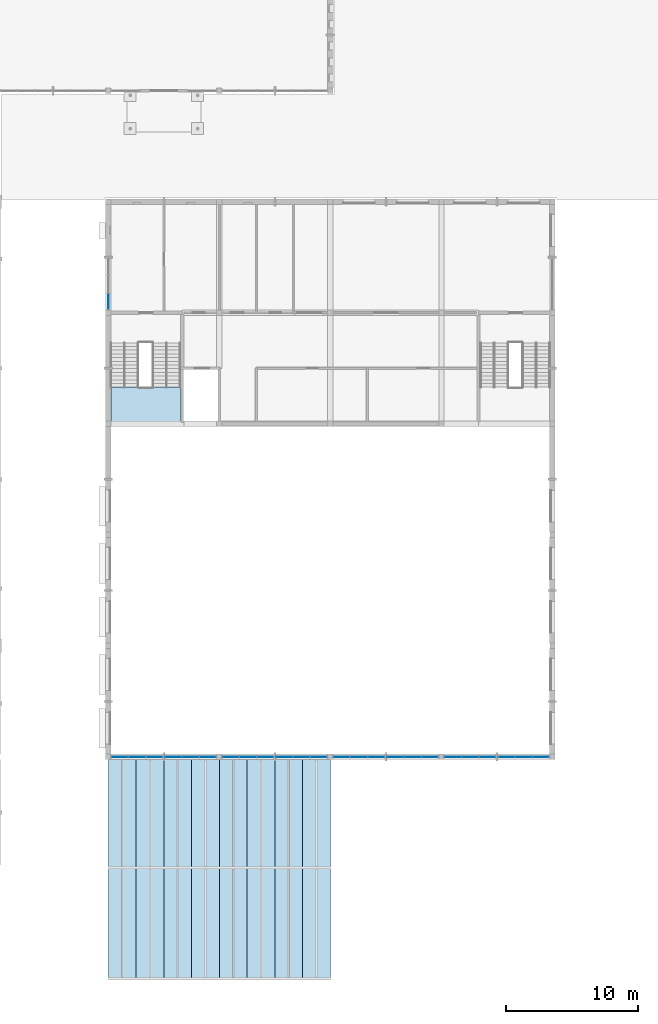
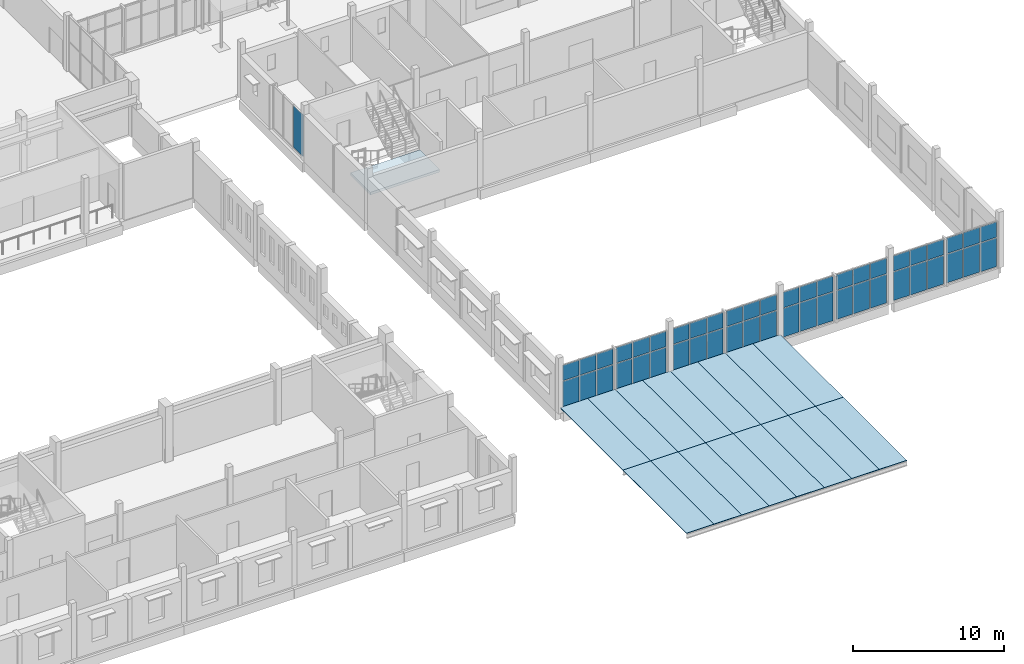
# One storey, part 30 of 60: 49 plates, 17 slabs, 10 elements without a shape of their own.
"""IFC4 building model written with IfcOpenShell, lengths in metres."""

from ifc_helpers import new_model, si_unit, direction, frame, origin, origin_2d, place, context, subcontext, project, spatial, polyline, rectangle, outline, extrude, material, layer, layer_set, type_object, element, aggregate, save


model = new_model("IFC4")

# Units and contexts
model_context = context("Model", 3, precision=1e-05, world=origin(), true_north=direction((0.0, 1.0)))
body_context = subcontext(model_context, "Body", "Model", "MODEL_VIEW")
ifc_project = project(units=[si_unit("LENGTHUNIT", "METRE"), si_unit("AREAUNIT", "SQUARE_METRE"), si_unit("VOLUMEUNIT", "CUBIC_METRE"), si_unit("PLANEANGLEUNIT", "RADIAN"), si_unit("MASSUNIT", "GRAM", prefix="KILO")], contexts=[model_context])

# Site, building, storey
site_placement = place(None, origin())
site = spatial("IfcSite", under=ifc_project, at=site_placement, CompositionType="ELEMENT")
building_placement = place(site_placement, origin())
building = spatial("IfcBuilding", under=site, at=building_placement, Name="Fescue Hill Polytechnic", CompositionType="ELEMENT")
storey_placement = place(building_placement, frame((0.0, 0.0, 4.5)))
storey = spatial("IfcBuildingStorey", under=building, at=storey_placement, Name="L01", CompositionType="ELEMENT", Elevation=4.5)

# Slabs
ifc_material_1 = material(Name="Glass", Category="glass")
ifc_layer_1 = layer(ifc_material_1, 0.0439453125)
ifc_layer_set_1 = layer_set([ifc_layer_1], Name="Glass")
slab_type_1 = type_object("IfcSlabType", Name="Canopy glass 44", PredefinedType="ROOF", material=ifc_layer_set_1)
slab_1_placement = place(storey_placement, frame((126.0, -8.39990234375, 0.402099609375), z_axis=(0.0, 0.0, 1.0), x_axis=(1.0, 0.0, 0.0)))
element("IfcSlab", 1, at=slab_1_placement, inside=storey, type_object=slab_type_1, Name="Canopy glazing", PredefinedType="ROOF", context=body_context, shape_type="SweptSolid", body=[
    extrude(outline(polyline([(0.0, 0.0), (2.10009765625, 0.0), (2.10009765625, 8.39990234375), (0.0, 8.39990234375), (0.0, 0.0)])), origin(), (0.0, 0.0, -1.0), 0.0439453125),
])
slab_2_placement = place(storey_placement, frame((126.0, 0.0, 0.402099609375), z_axis=(0.0, 0.0, 1.0), x_axis=(1.0, 0.0, 0.0)))
element("IfcSlab", 2, at=slab_2_placement, inside=storey, type_object=slab_type_1, Name="Canopy glazing", PredefinedType="ROOF", context=body_context, shape_type="SweptSolid", body=[
    extrude(outline(polyline([(0.0, 0.0), (2.10009765625, 0.0), (2.10009765625, 8.319091796875), (0.0, 8.319091796875), (0.0, 0.0)])), origin(), (0.0, 0.0, -1.0), 0.0439453125),
])
slab_3_placement = place(storey_placement, frame((128.10009765625, -8.39990234375, 0.402099609375), z_axis=(0.0, 0.0, 1.0), x_axis=(1.0, 0.0, 0.0)))
element("IfcSlab", 3, at=slab_3_placement, inside=storey, type_object=slab_type_1, Name="Canopy glazing", PredefinedType="ROOF", context=body_context, shape_type="SweptSolid", body=[
    extrude(outline(polyline([(0.0, 0.0), (2.099853515625, 0.0), (2.099853515625, 8.39990234375), (0.0, 8.39990234375), (0.0, 0.0)])), origin(), (0.0, 0.0, -1.0), 0.0439453125),
])
slab_4_placement = place(storey_placement, frame((128.10009765625, 0.0, 0.402099609375), z_axis=(0.0, 0.0, 1.0), x_axis=(1.0, 0.0, 0.0)))
element("IfcSlab", 4, at=slab_4_placement, inside=storey, type_object=slab_type_1, Name="Canopy glazing", PredefinedType="ROOF", context=body_context, shape_type="SweptSolid", body=[
    extrude(outline(polyline([(0.0, 0.0), (2.099853515625, 0.0), (2.099853515625, 8.319091796875), (0.0, 8.319091796875), (0.0, 0.0)])), origin(), (0.0, 0.0, -1.0), 0.0439453125),
])
slab_5_placement = place(storey_placement, frame((130.199951171875, -8.39990234375, 0.402099609375), z_axis=(0.0, 0.0, 1.0), x_axis=(1.0, 0.0, 0.0)))
element("IfcSlab", 5, at=slab_5_placement, inside=storey, type_object=slab_type_1, Name="Canopy glazing", PredefinedType="ROOF", context=body_context, shape_type="SweptSolid", body=[
    extrude(outline(polyline([(0.0, 0.0), (2.10009765625, 0.0), (2.10009765625, 8.39990234375), (0.0, 8.39990234375), (0.0, 0.0)])), origin(), (0.0, 0.0, -1.0), 0.0439453125),
])
slab_6_placement = place(storey_placement, frame((130.199951171875, 0.0, 0.402099609375), z_axis=(0.0, 0.0, 1.0), x_axis=(1.0, 0.0, 0.0)))
element("IfcSlab", 6, at=slab_6_placement, inside=storey, type_object=slab_type_1, Name="Canopy glazing", PredefinedType="ROOF", context=body_context, shape_type="SweptSolid", body=[
    extrude(outline(polyline([(0.0, 0.0), (2.10009765625, 0.0), (2.10009765625, 8.319091796875), (0.0, 8.319091796875), (0.0, 0.0)])), origin(), (0.0, 0.0, -1.0), 0.0439453125),
])
slab_7_placement = place(storey_placement, frame((132.300048828125, -8.39990234375, 0.402099609375), z_axis=(0.0, 0.0, 1.0), x_axis=(1.0, 0.0, 0.0)))
element("IfcSlab", 7, at=slab_7_placement, inside=storey, type_object=slab_type_1, Name="Canopy glazing", PredefinedType="ROOF", context=body_context, shape_type="SweptSolid", body=[
    extrude(outline(polyline([(0.0, 0.0), (2.099853515625, 0.0), (2.099853515625, 8.39990234375), (0.0, 8.39990234375), (0.0, 0.0)])), origin(), (0.0, 0.0, -1.0), 0.0439453125),
])
slab_8_placement = place(storey_placement, frame((132.300048828125, 0.0, 0.402099609375), z_axis=(0.0, 0.0, 1.0), x_axis=(1.0, 0.0, 0.0)))
element("IfcSlab", 8, at=slab_8_placement, inside=storey, type_object=slab_type_1, Name="Canopy glazing", PredefinedType="ROOF", context=body_context, shape_type="SweptSolid", body=[
    extrude(outline(polyline([(0.0, 0.0), (2.099853515625, 0.0), (2.099853515625, 8.319091796875), (0.0, 8.319091796875), (0.0, 0.0)])), origin(), (0.0, 0.0, -1.0), 0.0439453125),
])
slab_9_placement = place(storey_placement, frame((134.39990234375, -8.39990234375, 0.402099609375), z_axis=(0.0, 0.0, 1.0), x_axis=(1.0, 0.0, 0.0)))
element("IfcSlab", 9, at=slab_9_placement, inside=storey, type_object=slab_type_1, Name="Canopy glazing", PredefinedType="ROOF", context=body_context, shape_type="SweptSolid", body=[
    extrude(outline(polyline([(0.0, 0.0), (2.10009765625, 0.0), (2.10009765625, 8.39990234375), (0.0, 8.39990234375), (0.0, 0.0)])), origin(), (0.0, 0.0, -1.0), 0.0439453125),
])
slab_10_placement = place(storey_placement, frame((134.39990234375, 0.0, 0.402099609375), z_axis=(0.0, 0.0, 1.0), x_axis=(1.0, 0.0, 0.0)))
element("IfcSlab", 10, at=slab_10_placement, inside=storey, type_object=slab_type_1, Name="Canopy glazing", PredefinedType="ROOF", context=body_context, shape_type="SweptSolid", body=[
    extrude(outline(polyline([(0.0, 0.0), (2.10009765625, 0.0), (2.10009765625, 8.319091796875), (0.0, 8.319091796875), (0.0, 0.0)])), origin(), (0.0, 0.0, -1.0), 0.0439453125),
])
slab_11_placement = place(storey_placement, frame((136.5, -8.39990234375, 0.402099609375), z_axis=(0.0, 0.0, 1.0), x_axis=(1.0, 0.0, 0.0)))
element("IfcSlab", 11, at=slab_11_placement, inside=storey, type_object=slab_type_1, Name="Canopy glazing", PredefinedType="ROOF", context=body_context, shape_type="SweptSolid", body=[
    extrude(outline(polyline([(0.0, 0.0), (2.10009765625, 0.0), (2.10009765625, 8.39990234375), (0.0, 8.39990234375), (0.0, 0.0)])), origin(), (0.0, 0.0, -1.0), 0.0439453125),
])
slab_12_placement = place(storey_placement, frame((136.5, 0.0, 0.402099609375), z_axis=(0.0, 0.0, 1.0), x_axis=(1.0, 0.0, 0.0)))
element("IfcSlab", 12, at=slab_12_placement, inside=storey, type_object=slab_type_1, Name="Canopy glazing", PredefinedType="ROOF", context=body_context, shape_type="SweptSolid", body=[
    extrude(outline(polyline([(0.0, 0.0), (2.10009765625, 0.0), (2.10009765625, 8.319091796875), (0.0, 8.319091796875), (0.0, 0.0)])), origin(), (0.0, 0.0, -1.0), 0.0439453125),
])
slab_13_placement = place(storey_placement, frame((138.60009765625, -8.39990234375, 0.402099609375), z_axis=(0.0, 0.0, 1.0), x_axis=(1.0, 0.0, 0.0)))
element("IfcSlab", 13, at=slab_13_placement, inside=storey, type_object=slab_type_1, Name="Canopy glazing", PredefinedType="ROOF", context=body_context, shape_type="SweptSolid", body=[
    extrude(outline(polyline([(0.0, 0.0), (2.099853515625, 0.0), (2.099853515625, 8.39990234375), (0.0, 8.39990234375), (0.0, 0.0)])), origin(), (0.0, 0.0, -1.0), 0.0439453125),
])
slab_14_placement = place(storey_placement, frame((138.60009765625, 0.0, 0.402099609375), z_axis=(0.0, 0.0, 1.0), x_axis=(1.0, 0.0, 0.0)))
element("IfcSlab", 14, at=slab_14_placement, inside=storey, type_object=slab_type_1, Name="Canopy glazing", PredefinedType="ROOF", context=body_context, shape_type="SweptSolid", body=[
    extrude(outline(polyline([(0.0, 0.0), (2.099853515625, 0.0), (2.099853515625, 8.319091796875), (0.0, 8.319091796875), (0.0, 0.0)])), origin(), (0.0, 0.0, -1.0), 0.0439453125),
])
slab_15_placement = place(storey_placement, frame((140.699951171875, -8.39990234375, 0.402099609375), z_axis=(0.0, 0.0, 1.0), x_axis=(1.0, 0.0, 0.0)))
element("IfcSlab", 15, at=slab_15_placement, inside=storey, type_object=slab_type_1, Name="Canopy glazing", PredefinedType="ROOF", context=body_context, shape_type="SweptSolid", body=[
    extrude(outline(polyline([(0.0, 0.0), (2.10009765625, 0.0), (2.10009765625, 8.39990234375), (0.0, 8.39990234375), (0.0, 0.0)])), origin(), (0.0, 0.0, -1.0), 0.0439453125),
])
slab_16_placement = place(storey_placement, frame((140.699951171875, 0.0, 0.402099609375), z_axis=(0.0, 0.0, 1.0), x_axis=(1.0, 0.0, 0.0)))
element("IfcSlab", 16, at=slab_16_placement, inside=storey, type_object=slab_type_1, Name="Canopy glazing", PredefinedType="ROOF", context=body_context, shape_type="SweptSolid", body=[
    extrude(outline(polyline([(0.0, 0.0), (2.10009765625, 0.0), (2.10009765625, 8.319091796875), (0.0, 8.319091796875), (0.0, 0.0)])), origin(), (0.0, 0.0, -1.0), 0.0439453125),
])

# Curtain wall, plates
curtain_wall_type = type_object("IfcCurtainWallType", Name="Curtain wall structural glazing", PredefinedType="NOTDEFINED", material=ifc_material_1)
curtain_wall_1_placement = place(storey_placement, origin())
curtain_wall_1 = element("IfcCurtainWall", 17, at=curtain_wall_1_placement, inside=storey, type_object=curtain_wall_type, Name="CW-L01-V3-1", PredefinedType="NOTDEFINED")
ifc_layer_2 = layer(ifc_material_1, 0.028076171875)
ifc_layer_set_2 = layer_set([ifc_layer_2], Name="Glass")
plate_type = type_object("IfcPlateType", Name="Panel glazing 28", PredefinedType="CURTAIN_PANEL", material=ifc_layer_set_2)
plate_1_placement = place(storey_placement, frame((126.87158203125, 8.39990234375, 0.06005859375), z_axis=(0.0, 0.0, 1.0), x_axis=(1.0, 0.0, 0.0)))
plate_1 = element("IfcPlate", 18, at=plate_1_placement, type_object=plate_type, Name="CW54 panel 1.1", PredefinedType="CURTAIN_PANEL", context=body_context, shape_type="SweptSolid", body=[
    extrude(rectangle(XDim=1.223388671875, YDim=0.028076171875, at=origin_2d()), origin(), (0.0, 0.0, 1.0), 2.31005859375),
])
plate_2_placement = place(storey_placement, frame((126.87158203125, 8.39990234375, 2.43017578125), z_axis=(0.0, 0.0, 1.0), x_axis=(1.0, 0.0, 0.0)))
plate_2 = element("IfcPlate", 19, at=plate_2_placement, type_object=plate_type, Name="CW54 panel 1.2", PredefinedType="CURTAIN_PANEL", context=body_context, shape_type="SweptSolid", body=[
    extrude(rectangle(XDim=1.223388671875, YDim=0.028076171875, at=origin_2d()), origin(), (0.0, 0.0, 1.0), 1.239990234375),
])
plate_3_placement = place(storey_placement, frame((128.169921875, 8.39990234375, 0.06005859375), z_axis=(0.0, 0.0, 1.0), x_axis=(1.0, 0.0, 0.0)))
plate_3 = element("IfcPlate", 20, at=plate_3_placement, type_object=plate_type, Name="CW54 panel 2.1", PredefinedType="CURTAIN_PANEL", context=body_context, shape_type="SweptSolid", body=[
    extrude(rectangle(XDim=1.25341796875, YDim=0.028076171875, at=origin_2d()), origin(), (0.0, 0.0, 1.0), 2.31005859375),
])
plate_4_placement = place(storey_placement, frame((128.169921875, 8.39990234375, 2.43017578125), z_axis=(0.0, 0.0, 1.0), x_axis=(1.0, 0.0, 0.0)))
plate_4 = element("IfcPlate", 21, at=plate_4_placement, type_object=plate_type, Name="CW54 panel 2.2", PredefinedType="CURTAIN_PANEL", context=body_context, shape_type="SweptSolid", body=[
    extrude(rectangle(XDim=1.25341796875, YDim=0.028076171875, at=origin_2d()), origin(), (0.0, 0.0, 1.0), 1.239990234375),
])
plate_5_placement = place(storey_placement, frame((129.46826171875, 8.39990234375, 0.06005859375), z_axis=(0.0, 0.0, 1.0), x_axis=(1.0, 0.0, 0.0)))
plate_5 = element("IfcPlate", 22, at=plate_5_placement, type_object=plate_type, Name="CW54 panel 3.1", PredefinedType="CURTAIN_PANEL", context=body_context, shape_type="SweptSolid", body=[
    extrude(rectangle(XDim=1.223388671875, YDim=0.028076171875, at=origin_2d()), origin(), (0.0, 0.0, 1.0), 2.31005859375),
])
plate_6_placement = place(storey_placement, frame((129.46826171875, 8.39990234375, 2.43017578125), z_axis=(0.0, 0.0, 1.0), x_axis=(1.0, 0.0, 0.0)))
plate_6 = element("IfcPlate", 23, at=plate_6_placement, type_object=plate_type, Name="CW54 panel 3.2", PredefinedType="CURTAIN_PANEL", context=body_context, shape_type="SweptSolid", body=[
    extrude(rectangle(XDim=1.223388671875, YDim=0.028076171875, at=origin_2d()), origin(), (0.0, 0.0, 1.0), 1.239990234375),
])
aggregate(curtain_wall_1, [plate_1, plate_2, plate_3, plate_4, plate_5, plate_6])

curtain_wall_2_placement = place(storey_placement, origin())
curtain_wall_2 = element("IfcCurtainWall", 24, at=curtain_wall_2_placement, inside=storey, type_object=curtain_wall_type, Name="CW-L01-V3-2", PredefinedType="NOTDEFINED")
plate_7_placement = place(storey_placement, frame((130.931640625, 8.39990234375, 0.06005859375), z_axis=(0.0, 0.0, 1.0), x_axis=(1.0, 0.0, 0.0)))
plate_7 = element("IfcPlate", 25, at=plate_7_placement, type_object=plate_type, Name="CW55 panel 1.1", PredefinedType="CURTAIN_PANEL", context=body_context, shape_type="SweptSolid", body=[
    extrude(rectangle(XDim=1.223388671875, YDim=0.028076171875, at=origin_2d()), origin(), (0.0, 0.0, 1.0), 2.31005859375),
])
plate_8_placement = place(storey_placement, frame((130.931640625, 8.39990234375, 2.43017578125), z_axis=(0.0, 0.0, 1.0), x_axis=(1.0, 0.0, 0.0)))
plate_8 = element("IfcPlate", 26, at=plate_8_placement, type_object=plate_type, Name="CW55 panel 1.2", PredefinedType="CURTAIN_PANEL", context=body_context, shape_type="SweptSolid", body=[
    extrude(rectangle(XDim=1.223388671875, YDim=0.028076171875, at=origin_2d()), origin(), (0.0, 0.0, 1.0), 1.239990234375),
])
plate_9_placement = place(storey_placement, frame((132.22998046875, 8.39990234375, 0.06005859375), z_axis=(0.0, 0.0, 1.0), x_axis=(1.0, 0.0, 0.0)))
plate_9 = element("IfcPlate", 27, at=plate_9_placement, type_object=plate_type, Name="CW55 panel 2.1", PredefinedType="CURTAIN_PANEL", context=body_context, shape_type="SweptSolid", body=[
    extrude(rectangle(XDim=1.25341796875, YDim=0.028076171875, at=origin_2d()), origin(), (0.0, 0.0, 1.0), 2.31005859375),
])
plate_10_placement = place(storey_placement, frame((132.22998046875, 8.39990234375, 2.43017578125), z_axis=(0.0, 0.0, 1.0), x_axis=(1.0, 0.0, 0.0)))
plate_10 = element("IfcPlate", 28, at=plate_10_placement, type_object=plate_type, Name="CW55 panel 2.2", PredefinedType="CURTAIN_PANEL", context=body_context, shape_type="SweptSolid", body=[
    extrude(rectangle(XDim=1.25341796875, YDim=0.028076171875, at=origin_2d()), origin(), (0.0, 0.0, 1.0), 1.239990234375),
])
plate_11_placement = place(storey_placement, frame((133.5283203125, 8.39990234375, 0.06005859375), z_axis=(0.0, 0.0, 1.0), x_axis=(1.0, 0.0, 0.0)))
plate_11 = element("IfcPlate", 29, at=plate_11_placement, type_object=plate_type, Name="CW55 panel 3.1", PredefinedType="CURTAIN_PANEL", context=body_context, shape_type="SweptSolid", body=[
    extrude(rectangle(XDim=1.223388671875, YDim=0.028076171875, at=origin_2d()), origin(), (0.0, 0.0, 1.0), 2.31005859375),
])
plate_12_placement = place(storey_placement, frame((133.5283203125, 8.39990234375, 2.43017578125), z_axis=(0.0, 0.0, 1.0), x_axis=(1.0, 0.0, 0.0)))
plate_12 = element("IfcPlate", 30, at=plate_12_placement, type_object=plate_type, Name="CW55 panel 3.2", PredefinedType="CURTAIN_PANEL", context=body_context, shape_type="SweptSolid", body=[
    extrude(rectangle(XDim=1.223388671875, YDim=0.028076171875, at=origin_2d()), origin(), (0.0, 0.0, 1.0), 1.239990234375),
])
aggregate(curtain_wall_2, [plate_7, plate_8, plate_9, plate_10, plate_11, plate_12])

curtain_wall_3_placement = place(storey_placement, origin())
curtain_wall_3 = element("IfcCurtainWall", 31, at=curtain_wall_3_placement, inside=storey, type_object=curtain_wall_type, Name="CW-L01-V3-3", PredefinedType="NOTDEFINED")
plate_13_placement = place(storey_placement, frame((135.271728515625, 8.39990234375, 0.06005859375), z_axis=(0.0, 0.0, 1.0), x_axis=(1.0, 0.0, 0.0)))
plate_13 = element("IfcPlate", 32, at=plate_13_placement, type_object=plate_type, Name="CW56 panel 1.1", PredefinedType="CURTAIN_PANEL", context=body_context, shape_type="SweptSolid", body=[
    extrude(rectangle(XDim=1.223388671875, YDim=0.028076171875, at=origin_2d()), origin(), (0.0, 0.0, 1.0), 2.31005859375),
])
plate_14_placement = place(storey_placement, frame((135.271728515625, 8.39990234375, 2.43017578125), z_axis=(0.0, 0.0, 1.0), x_axis=(1.0, 0.0, 0.0)))
plate_14 = element("IfcPlate", 33, at=plate_14_placement, type_object=plate_type, Name="CW56 panel 1.2", PredefinedType="CURTAIN_PANEL", context=body_context, shape_type="SweptSolid", body=[
    extrude(rectangle(XDim=1.223388671875, YDim=0.028076171875, at=origin_2d()), origin(), (0.0, 0.0, 1.0), 1.239990234375),
])
plate_15_placement = place(storey_placement, frame((136.570068359375, 8.39990234375, 0.06005859375), z_axis=(0.0, 0.0, 1.0), x_axis=(1.0, 0.0, 0.0)))
plate_15 = element("IfcPlate", 34, at=plate_15_placement, type_object=plate_type, Name="CW56 panel 2.1", PredefinedType="CURTAIN_PANEL", context=body_context, shape_type="SweptSolid", body=[
    extrude(rectangle(XDim=1.25341796875, YDim=0.028076171875, at=origin_2d()), origin(), (0.0, 0.0, 1.0), 2.31005859375),
])
plate_16_placement = place(storey_placement, frame((136.570068359375, 8.39990234375, 2.43017578125), z_axis=(0.0, 0.0, 1.0), x_axis=(1.0, 0.0, 0.0)))
plate_16 = element("IfcPlate", 35, at=plate_16_placement, type_object=plate_type, Name="CW56 panel 2.2", PredefinedType="CURTAIN_PANEL", context=body_context, shape_type="SweptSolid", body=[
    extrude(rectangle(XDim=1.25341796875, YDim=0.028076171875, at=origin_2d()), origin(), (0.0, 0.0, 1.0), 1.239990234375),
])
plate_17_placement = place(storey_placement, frame((137.868408203125, 8.39990234375, 0.06005859375), z_axis=(0.0, 0.0, 1.0), x_axis=(1.0, 0.0, 0.0)))
plate_17 = element("IfcPlate", 36, at=plate_17_placement, type_object=plate_type, Name="CW56 panel 3.1", PredefinedType="CURTAIN_PANEL", context=body_context, shape_type="SweptSolid", body=[
    extrude(rectangle(XDim=1.223388671875, YDim=0.028076171875, at=origin_2d()), origin(), (0.0, 0.0, 1.0), 2.31005859375),
])
plate_18_placement = place(storey_placement, frame((137.868408203125, 8.39990234375, 2.43017578125), z_axis=(0.0, 0.0, 1.0), x_axis=(1.0, 0.0, 0.0)))
plate_18 = element("IfcPlate", 37, at=plate_18_placement, type_object=plate_type, Name="CW56 panel 3.2", PredefinedType="CURTAIN_PANEL", context=body_context, shape_type="SweptSolid", body=[
    extrude(rectangle(XDim=1.223388671875, YDim=0.028076171875, at=origin_2d()), origin(), (0.0, 0.0, 1.0), 1.239990234375),
])
aggregate(curtain_wall_3, [plate_13, plate_14, plate_15, plate_16, plate_17, plate_18])

curtain_wall_4_placement = place(storey_placement, origin())
curtain_wall_4 = element("IfcCurtainWall", 38, at=curtain_wall_4_placement, inside=storey, type_object=curtain_wall_type, Name="CW-L01-V3-4", PredefinedType="NOTDEFINED")
plate_19_placement = place(storey_placement, frame((139.331787109375, 8.39990234375, 0.06005859375), z_axis=(0.0, 0.0, 1.0), x_axis=(1.0, 0.0, 0.0)))
plate_19 = element("IfcPlate", 39, at=plate_19_placement, type_object=plate_type, Name="CW57 panel 1.1", PredefinedType="CURTAIN_PANEL", context=body_context, shape_type="SweptSolid", body=[
    extrude(rectangle(XDim=1.223388671875, YDim=0.028076171875, at=origin_2d()), origin(), (0.0, 0.0, 1.0), 2.31005859375),
])
plate_20_placement = place(storey_placement, frame((139.331787109375, 8.39990234375, 2.43017578125), z_axis=(0.0, 0.0, 1.0), x_axis=(1.0, 0.0, 0.0)))
plate_20 = element("IfcPlate", 40, at=plate_20_placement, type_object=plate_type, Name="CW57 panel 1.2", PredefinedType="CURTAIN_PANEL", context=body_context, shape_type="SweptSolid", body=[
    extrude(rectangle(XDim=1.223388671875, YDim=0.028076171875, at=origin_2d()), origin(), (0.0, 0.0, 1.0), 1.239990234375),
])
plate_21_placement = place(storey_placement, frame((140.6298828125, 8.39990234375, 0.06005859375), z_axis=(0.0, 0.0, 1.0), x_axis=(1.0, 0.0, 0.0)))
plate_21 = element("IfcPlate", 41, at=plate_21_placement, type_object=plate_type, Name="CW57 panel 2.1", PredefinedType="CURTAIN_PANEL", context=body_context, shape_type="SweptSolid", body=[
    extrude(rectangle(XDim=1.25341796875, YDim=0.028076171875, at=origin_2d()), origin(), (0.0, 0.0, 1.0), 2.31005859375),
])
plate_22_placement = place(storey_placement, frame((140.6298828125, 8.39990234375, 2.43017578125), z_axis=(0.0, 0.0, 1.0), x_axis=(1.0, 0.0, 0.0)))
plate_22 = element("IfcPlate", 42, at=plate_22_placement, type_object=plate_type, Name="CW57 panel 2.2", PredefinedType="CURTAIN_PANEL", context=body_context, shape_type="SweptSolid", body=[
    extrude(rectangle(XDim=1.25341796875, YDim=0.028076171875, at=origin_2d()), origin(), (0.0, 0.0, 1.0), 1.239990234375),
])
plate_23_placement = place(storey_placement, frame((141.92822265625, 8.39990234375, 0.06005859375), z_axis=(0.0, 0.0, 1.0), x_axis=(1.0, 0.0, 0.0)))
plate_23 = element("IfcPlate", 43, at=plate_23_placement, type_object=plate_type, Name="CW57 panel 3.1", PredefinedType="CURTAIN_PANEL", context=body_context, shape_type="SweptSolid", body=[
    extrude(rectangle(XDim=1.223388671875, YDim=0.028076171875, at=origin_2d()), origin(), (0.0, 0.0, 1.0), 2.31005859375),
])
plate_24_placement = place(storey_placement, frame((141.92822265625, 8.39990234375, 2.43017578125), z_axis=(0.0, 0.0, 1.0), x_axis=(1.0, 0.0, 0.0)))
plate_24 = element("IfcPlate", 44, at=plate_24_placement, type_object=plate_type, Name="CW57 panel 3.2", PredefinedType="CURTAIN_PANEL", context=body_context, shape_type="SweptSolid", body=[
    extrude(rectangle(XDim=1.223388671875, YDim=0.028076171875, at=origin_2d()), origin(), (0.0, 0.0, 1.0), 1.239990234375),
])
aggregate(curtain_wall_4, [plate_19, plate_20, plate_21, plate_22, plate_23, plate_24])

curtain_wall_5_placement = place(storey_placement, origin())
curtain_wall_5 = element("IfcCurtainWall", 45, at=curtain_wall_5_placement, inside=storey, type_object=curtain_wall_type, Name="CW-L01-V3-5", PredefinedType="NOTDEFINED")
plate_25_placement = place(storey_placement, frame((143.671630859375, 8.39990234375, 0.06005859375), z_axis=(0.0, 0.0, 1.0), x_axis=(1.0, 0.0, 0.0)))
plate_25 = element("IfcPlate", 46, at=plate_25_placement, type_object=plate_type, Name="CW58 panel 1.1", PredefinedType="CURTAIN_PANEL", context=body_context, shape_type="SweptSolid", body=[
    extrude(rectangle(XDim=1.223388671875, YDim=0.028076171875, at=origin_2d()), origin(), (0.0, 0.0, 1.0), 2.31005859375),
])
plate_26_placement = place(storey_placement, frame((143.671630859375, 8.39990234375, 2.43017578125), z_axis=(0.0, 0.0, 1.0), x_axis=(1.0, 0.0, 0.0)))
plate_26 = element("IfcPlate", 47, at=plate_26_placement, type_object=plate_type, Name="CW58 panel 1.2", PredefinedType="CURTAIN_PANEL", context=body_context, shape_type="SweptSolid", body=[
    extrude(rectangle(XDim=1.223388671875, YDim=0.028076171875, at=origin_2d()), origin(), (0.0, 0.0, 1.0), 1.239990234375),
])
plate_27_placement = place(storey_placement, frame((144.969970703125, 8.39990234375, 0.06005859375), z_axis=(0.0, 0.0, 1.0), x_axis=(1.0, 0.0, 0.0)))
plate_27 = element("IfcPlate", 48, at=plate_27_placement, type_object=plate_type, Name="CW58 panel 2.1", PredefinedType="CURTAIN_PANEL", context=body_context, shape_type="SweptSolid", body=[
    extrude(rectangle(XDim=1.25341796875, YDim=0.028076171875, at=origin_2d()), origin(), (0.0, 0.0, 1.0), 2.31005859375),
])
plate_28_placement = place(storey_placement, frame((144.969970703125, 8.39990234375, 2.43017578125), z_axis=(0.0, 0.0, 1.0), x_axis=(1.0, 0.0, 0.0)))
plate_28 = element("IfcPlate", 49, at=plate_28_placement, type_object=plate_type, Name="CW58 panel 2.2", PredefinedType="CURTAIN_PANEL", context=body_context, shape_type="SweptSolid", body=[
    extrude(rectangle(XDim=1.25341796875, YDim=0.028076171875, at=origin_2d()), origin(), (0.0, 0.0, 1.0), 1.239990234375),
])
plate_29_placement = place(storey_placement, frame((146.268310546875, 8.39990234375, 0.06005859375), z_axis=(0.0, 0.0, 1.0), x_axis=(1.0, 0.0, 0.0)))
plate_29 = element("IfcPlate", 50, at=plate_29_placement, type_object=plate_type, Name="CW58 panel 3.1", PredefinedType="CURTAIN_PANEL", context=body_context, shape_type="SweptSolid", body=[
    extrude(rectangle(XDim=1.223388671875, YDim=0.028076171875, at=origin_2d()), origin(), (0.0, 0.0, 1.0), 2.31005859375),
])
plate_30_placement = place(storey_placement, frame((146.268310546875, 8.39990234375, 2.43017578125), z_axis=(0.0, 0.0, 1.0), x_axis=(1.0, 0.0, 0.0)))
plate_30 = element("IfcPlate", 51, at=plate_30_placement, type_object=plate_type, Name="CW58 panel 3.2", PredefinedType="CURTAIN_PANEL", context=body_context, shape_type="SweptSolid", body=[
    extrude(rectangle(XDim=1.223388671875, YDim=0.028076171875, at=origin_2d()), origin(), (0.0, 0.0, 1.0), 1.239990234375),
])
aggregate(curtain_wall_5, [plate_25, plate_26, plate_27, plate_28, plate_29, plate_30])

curtain_wall_6_placement = place(storey_placement, origin())
curtain_wall_6 = element("IfcCurtainWall", 52, at=curtain_wall_6_placement, inside=storey, type_object=curtain_wall_type, Name="CW-L01-V3-6", PredefinedType="NOTDEFINED")
plate_31_placement = place(storey_placement, frame((147.731689453125, 8.39990234375, 0.06005859375), z_axis=(0.0, 0.0, 1.0), x_axis=(1.0, 0.0, 0.0)))
plate_31 = element("IfcPlate", 53, at=plate_31_placement, type_object=plate_type, Name="CW59 panel 1.1", PredefinedType="CURTAIN_PANEL", context=body_context, shape_type="SweptSolid", body=[
    extrude(rectangle(XDim=1.223388671875, YDim=0.028076171875, at=origin_2d()), origin(), (0.0, 0.0, 1.0), 2.31005859375),
])
plate_32_placement = place(storey_placement, frame((147.731689453125, 8.39990234375, 2.43017578125), z_axis=(0.0, 0.0, 1.0), x_axis=(1.0, 0.0, 0.0)))
plate_32 = element("IfcPlate", 54, at=plate_32_placement, type_object=plate_type, Name="CW59 panel 1.2", PredefinedType="CURTAIN_PANEL", context=body_context, shape_type="SweptSolid", body=[
    extrude(rectangle(XDim=1.223388671875, YDim=0.028076171875, at=origin_2d()), origin(), (0.0, 0.0, 1.0), 1.239990234375),
])
plate_33_placement = place(storey_placement, frame((149.030029296875, 8.39990234375, 0.06005859375), z_axis=(0.0, 0.0, 1.0), x_axis=(1.0, 0.0, 0.0)))
plate_33 = element("IfcPlate", 55, at=plate_33_placement, type_object=plate_type, Name="CW59 panel 2.1", PredefinedType="CURTAIN_PANEL", context=body_context, shape_type="SweptSolid", body=[
    extrude(rectangle(XDim=1.25341796875, YDim=0.028076171875, at=origin_2d()), origin(), (0.0, 0.0, 1.0), 2.31005859375),
])
plate_34_placement = place(storey_placement, frame((149.030029296875, 8.39990234375, 2.43017578125), z_axis=(0.0, 0.0, 1.0), x_axis=(1.0, 0.0, 0.0)))
plate_34 = element("IfcPlate", 56, at=plate_34_placement, type_object=plate_type, Name="CW59 panel 2.2", PredefinedType="CURTAIN_PANEL", context=body_context, shape_type="SweptSolid", body=[
    extrude(rectangle(XDim=1.25341796875, YDim=0.028076171875, at=origin_2d()), origin(), (0.0, 0.0, 1.0), 1.239990234375),
])
plate_35_placement = place(storey_placement, frame((150.328369140625, 8.39990234375, 0.06005859375), z_axis=(0.0, 0.0, 1.0), x_axis=(1.0, 0.0, 0.0)))
plate_35 = element("IfcPlate", 57, at=plate_35_placement, type_object=plate_type, Name="CW59 panel 3.1", PredefinedType="CURTAIN_PANEL", context=body_context, shape_type="SweptSolid", body=[
    extrude(rectangle(XDim=1.223388671875, YDim=0.028076171875, at=origin_2d()), origin(), (0.0, 0.0, 1.0), 2.31005859375),
])
plate_36_placement = place(storey_placement, frame((150.328369140625, 8.39990234375, 2.43017578125), z_axis=(0.0, 0.0, 1.0), x_axis=(1.0, 0.0, 0.0)))
plate_36 = element("IfcPlate", 58, at=plate_36_placement, type_object=plate_type, Name="CW59 panel 3.2", PredefinedType="CURTAIN_PANEL", context=body_context, shape_type="SweptSolid", body=[
    extrude(rectangle(XDim=1.223388671875, YDim=0.028076171875, at=origin_2d()), origin(), (0.0, 0.0, 1.0), 1.239990234375),
])
aggregate(curtain_wall_6, [plate_31, plate_32, plate_33, plate_34, plate_35, plate_36])

curtain_wall_7_placement = place(storey_placement, origin())
curtain_wall_7 = element("IfcCurtainWall", 59, at=curtain_wall_7_placement, inside=storey, type_object=curtain_wall_type, Name="CW-L01-V3-7", PredefinedType="NOTDEFINED")
plate_37_placement = place(storey_placement, frame((152.07177734375, 8.39990234375, 0.06005859375), z_axis=(0.0, 0.0, 1.0), x_axis=(1.0, 0.0, 0.0)))
plate_37 = element("IfcPlate", 60, at=plate_37_placement, type_object=plate_type, Name="CW60 panel 1.1", PredefinedType="CURTAIN_PANEL", context=body_context, shape_type="SweptSolid", body=[
    extrude(rectangle(XDim=1.223388671875, YDim=0.028076171875, at=origin_2d()), origin(), (0.0, 0.0, 1.0), 2.31005859375),
])
plate_38_placement = place(storey_placement, frame((152.07177734375, 8.39990234375, 2.43017578125), z_axis=(0.0, 0.0, 1.0), x_axis=(1.0, 0.0, 0.0)))
plate_38 = element("IfcPlate", 61, at=plate_38_placement, type_object=plate_type, Name="CW60 panel 1.2", PredefinedType="CURTAIN_PANEL", context=body_context, shape_type="SweptSolid", body=[
    extrude(rectangle(XDim=1.223388671875, YDim=0.028076171875, at=origin_2d()), origin(), (0.0, 0.0, 1.0), 1.239990234375),
])
plate_39_placement = place(storey_placement, frame((153.3701171875, 8.39990234375, 0.06005859375), z_axis=(0.0, 0.0, 1.0), x_axis=(1.0, 0.0, 0.0)))
plate_39 = element("IfcPlate", 62, at=plate_39_placement, type_object=plate_type, Name="CW60 panel 2.1", PredefinedType="CURTAIN_PANEL", context=body_context, shape_type="SweptSolid", body=[
    extrude(rectangle(XDim=1.25341796875, YDim=0.028076171875, at=origin_2d()), origin(), (0.0, 0.0, 1.0), 2.31005859375),
])
plate_40_placement = place(storey_placement, frame((153.3701171875, 8.39990234375, 2.43017578125), z_axis=(0.0, 0.0, 1.0), x_axis=(1.0, 0.0, 0.0)))
plate_40 = element("IfcPlate", 63, at=plate_40_placement, type_object=plate_type, Name="CW60 panel 2.2", PredefinedType="CURTAIN_PANEL", context=body_context, shape_type="SweptSolid", body=[
    extrude(rectangle(XDim=1.25341796875, YDim=0.028076171875, at=origin_2d()), origin(), (0.0, 0.0, 1.0), 1.239990234375),
])
plate_41_placement = place(storey_placement, frame((154.668212890625, 8.39990234375, 0.06005859375), z_axis=(0.0, 0.0, 1.0), x_axis=(1.0, 0.0, 0.0)))
plate_41 = element("IfcPlate", 64, at=plate_41_placement, type_object=plate_type, Name="CW60 panel 3.1", PredefinedType="CURTAIN_PANEL", context=body_context, shape_type="SweptSolid", body=[
    extrude(rectangle(XDim=1.223388671875, YDim=0.028076171875, at=origin_2d()), origin(), (0.0, 0.0, 1.0), 2.31005859375),
])
plate_42_placement = place(storey_placement, frame((154.668212890625, 8.39990234375, 2.43017578125), z_axis=(0.0, 0.0, 1.0), x_axis=(1.0, 0.0, 0.0)))
plate_42 = element("IfcPlate", 65, at=plate_42_placement, type_object=plate_type, Name="CW60 panel 3.2", PredefinedType="CURTAIN_PANEL", context=body_context, shape_type="SweptSolid", body=[
    extrude(rectangle(XDim=1.223388671875, YDim=0.028076171875, at=origin_2d()), origin(), (0.0, 0.0, 1.0), 1.239990234375),
])
aggregate(curtain_wall_7, [plate_37, plate_38, plate_39, plate_40, plate_41, plate_42])

curtain_wall_8_placement = place(storey_placement, origin())
curtain_wall_8 = element("IfcCurtainWall", 66, at=curtain_wall_8_placement, inside=storey, type_object=curtain_wall_type, Name="CW-L01-V3-8", PredefinedType="NOTDEFINED")
plate_43_placement = place(storey_placement, frame((156.131591796875, 8.39990234375, 0.06005859375), z_axis=(0.0, 0.0, 1.0), x_axis=(1.0, 0.0, 0.0)))
plate_43 = element("IfcPlate", 67, at=plate_43_placement, type_object=plate_type, Name="CW61 panel 1.1", PredefinedType="CURTAIN_PANEL", context=body_context, shape_type="SweptSolid", body=[
    extrude(rectangle(XDim=1.223388671875, YDim=0.028076171875, at=origin_2d()), origin(), (0.0, 0.0, 1.0), 2.31005859375),
])
plate_44_placement = place(storey_placement, frame((156.131591796875, 8.39990234375, 2.43017578125), z_axis=(0.0, 0.0, 1.0), x_axis=(1.0, 0.0, 0.0)))
plate_44 = element("IfcPlate", 68, at=plate_44_placement, type_object=plate_type, Name="CW61 panel 1.2", PredefinedType="CURTAIN_PANEL", context=body_context, shape_type="SweptSolid", body=[
    extrude(rectangle(XDim=1.223388671875, YDim=0.028076171875, at=origin_2d()), origin(), (0.0, 0.0, 1.0), 1.239990234375),
])
plate_45_placement = place(storey_placement, frame((157.429931640625, 8.39990234375, 0.06005859375), z_axis=(0.0, 0.0, 1.0), x_axis=(1.0, 0.0, 0.0)))
plate_45 = element("IfcPlate", 69, at=plate_45_placement, type_object=plate_type, Name="CW61 panel 2.1", PredefinedType="CURTAIN_PANEL", context=body_context, shape_type="SweptSolid", body=[
    extrude(rectangle(XDim=1.25341796875, YDim=0.028076171875, at=origin_2d()), origin(), (0.0, 0.0, 1.0), 2.31005859375),
])
plate_46_placement = place(storey_placement, frame((157.429931640625, 8.39990234375, 2.43017578125), z_axis=(0.0, 0.0, 1.0), x_axis=(1.0, 0.0, 0.0)))
plate_46 = element("IfcPlate", 70, at=plate_46_placement, type_object=plate_type, Name="CW61 panel 2.2", PredefinedType="CURTAIN_PANEL", context=body_context, shape_type="SweptSolid", body=[
    extrude(rectangle(XDim=1.25341796875, YDim=0.028076171875, at=origin_2d()), origin(), (0.0, 0.0, 1.0), 1.239990234375),
])
plate_47_placement = place(storey_placement, frame((158.728271484375, 8.39990234375, 0.06005859375), z_axis=(0.0, 0.0, 1.0), x_axis=(1.0, 0.0, 0.0)))
plate_47 = element("IfcPlate", 71, at=plate_47_placement, type_object=plate_type, Name="CW61 panel 3.1", PredefinedType="CURTAIN_PANEL", context=body_context, shape_type="SweptSolid", body=[
    extrude(rectangle(XDim=1.223388671875, YDim=0.028076171875, at=origin_2d()), origin(), (0.0, 0.0, 1.0), 2.31005859375),
])
plate_48_placement = place(storey_placement, frame((158.728271484375, 8.39990234375, 2.43017578125), z_axis=(0.0, 0.0, 1.0), x_axis=(1.0, 0.0, 0.0)))
plate_48 = element("IfcPlate", 72, at=plate_48_placement, type_object=plate_type, Name="CW61 panel 3.2", PredefinedType="CURTAIN_PANEL", context=body_context, shape_type="SweptSolid", body=[
    extrude(rectangle(XDim=1.223388671875, YDim=0.028076171875, at=origin_2d()), origin(), (0.0, 0.0, 1.0), 1.239990234375),
])
aggregate(curtain_wall_8, [plate_43, plate_44, plate_45, plate_46, plate_47, plate_48])

# Curtain wall, plate
curtain_wall_9_placement = place(storey_placement, origin())
curtain_wall_9 = element("IfcCurtainWall", 73, at=curtain_wall_9_placement, inside=storey, type_object=curtain_wall_type, Name="CW-L01-V3-X1", PredefinedType="NOTDEFINED")
plate_49_placement = place(storey_placement, frame((126.0, 42.87158203125, 0.06005859375), z_axis=(0.0, 0.0, 1.0), x_axis=(0.0, -1.0, 0.0)))
plate_49 = element("IfcPlate", 74, at=plate_49_placement, type_object=plate_type, Name="CW116 panel 3.1", PredefinedType="CURTAIN_PANEL", context=body_context, shape_type="SweptSolid", body=[
    extrude(rectangle(XDim=1.223388671875, YDim=0.028076171875, at=origin_2d()), origin(), (0.0, 0.0, 1.0), 3.360107421875),
])
aggregate(curtain_wall_9, [plate_49])

# Stair, slab
ifc_material_2 = material(Name="Concrete 35 MPa", Category="concrete")
stair_type = type_object("IfcStairType", Name="Half-turn stair 2150 flights", PredefinedType="HALF_TURN_STAIR", material=ifc_material_2)
stair_placement = place(storey_placement, origin())
stair = element("IfcStair", 75, at=stair_placement, inside=storey, type_object=stair_type, Name="L01 ST-V3-1 stair", PredefinedType="HALF_TURN_STAIR")
ifc_layer_3 = layer(ifc_material_2, 0.199951171875)
ifc_layer_set_3 = layer_set([ifc_layer_3], Name="Concrete 35 MPa")
slab_type_2 = type_object("IfcSlabType", Name="Stair landing slab 200", PredefinedType="LANDING", material=ifc_layer_set_3)
slab_17_placement = place(storey_placement, frame((0.0, 0.0, 2.050048828125)))
slab_17 = element("IfcSlab", 76, at=slab_17_placement, type_object=slab_type_2, Name="S11 landing 1", PredefinedType="LANDING", context=body_context, shape_type="SweptSolid", body=[
    extrude(outline(polyline([(126.2099609375, 33.75), (131.5, 33.75), (131.5, 36.364990234375), (126.2099609375, 36.364990234375), (126.2099609375, 33.75)])), origin(), (0.0, 0.0, 1.0), 0.199951171875),
])
aggregate(stair, [slab_17])

save(model, "model.ifc")
